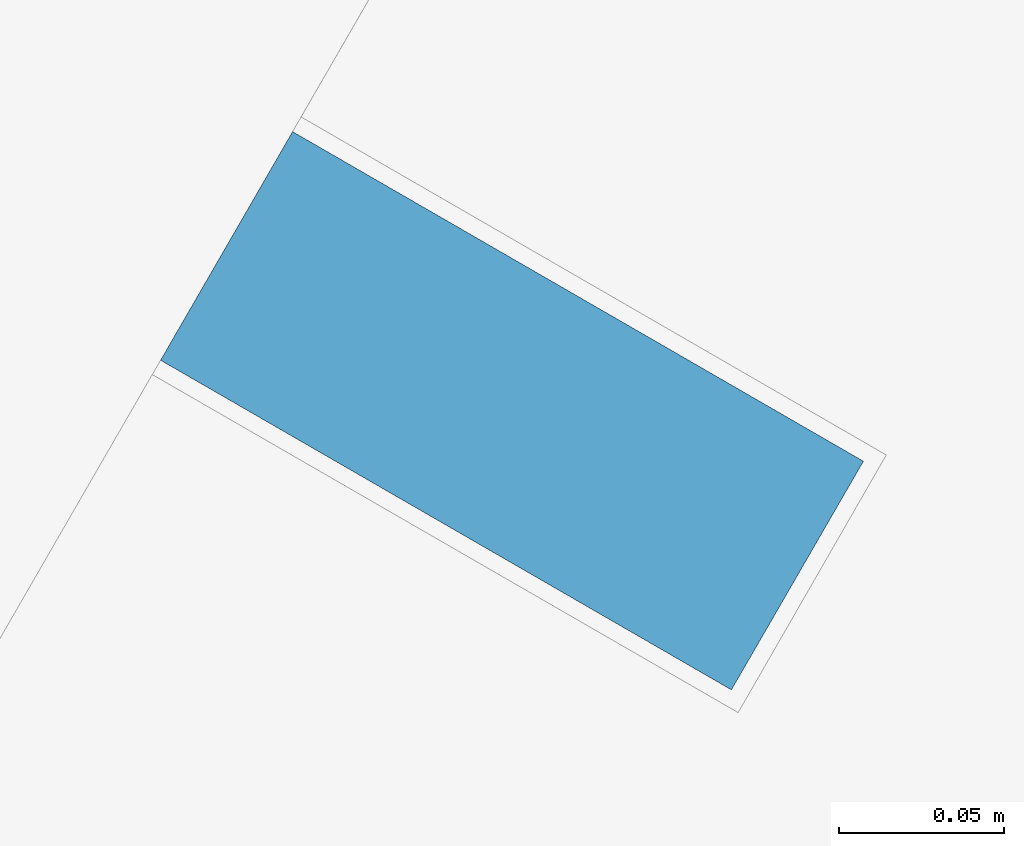
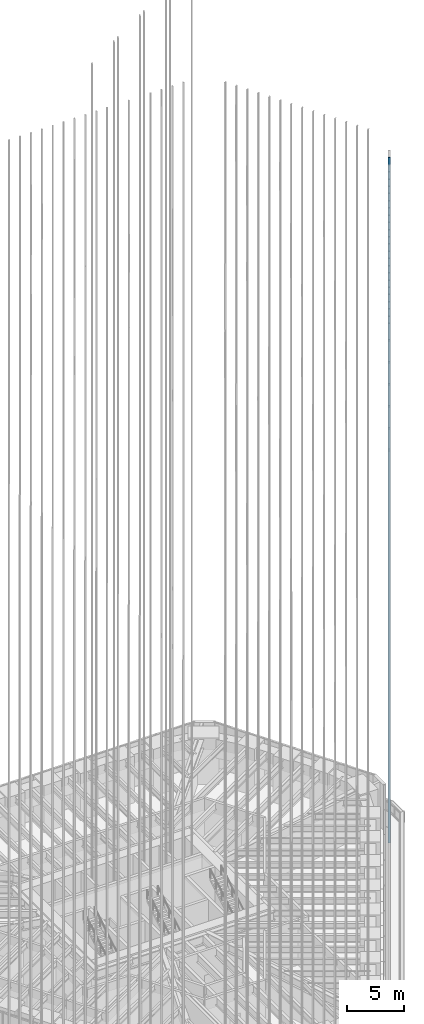
# One storey, part 127 of 228: 1 member, 1 element without a shape of its own.
"""IFC4 building model written with IfcOpenShell, lengths in metres."""

from ifc_helpers import new_model, si_unit, direction, frame, origin, origin_2d, place, context, subcontext, project, spatial, rectangle, extrude, material, material_profile, profile_set, type_object, element, aggregate, save


model = new_model("IFC4")

# Units and contexts
model_context = context("Model", 3, precision=1e-05, world=origin(), true_north=direction((0.0, 1.0)))
body_context = subcontext(model_context, "Body", "Model", "MODEL_VIEW")
ifc_project = project(units=[si_unit("LENGTHUNIT", "METRE"), si_unit("AREAUNIT", "SQUARE_METRE"), si_unit("VOLUMEUNIT", "CUBIC_METRE"), si_unit("PLANEANGLEUNIT", "RADIAN"), si_unit("MASSUNIT", "GRAM", prefix="KILO")], contexts=[model_context])

# Site, building, storey
site_placement = place(None, origin())
site = spatial("IfcSite", under=ifc_project, at=site_placement, CompositionType="ELEMENT")
building_placement = place(site_placement, origin())
building = spatial("IfcBuilding", under=site, at=building_placement, Name="Sandreach Pilgrim Tower", CompositionType="ELEMENT")
storey_placement = place(building_placement, frame((0.0, 0.0, 178.199951171875)))
storey = spatial("IfcBuildingStorey", under=building, at=storey_placement, Name="L44", CompositionType="ELEMENT", Elevation=178.199951171875)

# Curtain wall, member
ifc_material_1 = material(Name="Aluminium framed curtain wall", Category="aluminium")
curtain_wall_type = type_object("IfcCurtainWallType", Name="Upper hotel tower curtain wall", PredefinedType="NOTDEFINED", material=ifc_material_1)
curtain_wall_placement = place(storey_placement, origin())
curtain_wall = element("IfcCurtainWall", 1, at=curtain_wall_placement, inside=storey, type_object=curtain_wall_type, Name="CW-3 L44 SE", PredefinedType="NOTDEFINED")
ifc_material_2 = material(Name="Extruded terracotta on aluminium core", Category="masonry")
ifc_material_profile = material_profile(ifc_material_2, rectangle(XDim=0.080078125, YDim=0.199951171875, at=origin_2d()), Name="TBE 80X200")
ifc_profile_set = profile_set([ifc_material_profile], Name="Extruded terracotta on aluminium core")
member_type = type_object("IfcMemberType", Name="Terracotta baguette east", PredefinedType="USERDEFINED", material=ifc_profile_set)
member_placement = place(storey_placement, frame((26.380615234375, 2.572509765625, 0.0), z_axis=(0.0, 0.0, 1.0), x_axis=(-0.5, -0.866025403784, 0.0)))
member = element("IfcMember", 2, at=member_placement, type_object=member_type, Name="Baguette Z3 SE02", ObjectType="BAGUETTE", PredefinedType="USERDEFINED", context=body_context, shape_type="SweptSolid", body=[
    extrude(rectangle(XDim=0.080078125, YDim=0.199951171875, at=origin_2d()), origin(), (0.0, 0.0, 1.0), 73.239990234375),
])
aggregate(curtain_wall, [member])

save(model, "model.ifc")
